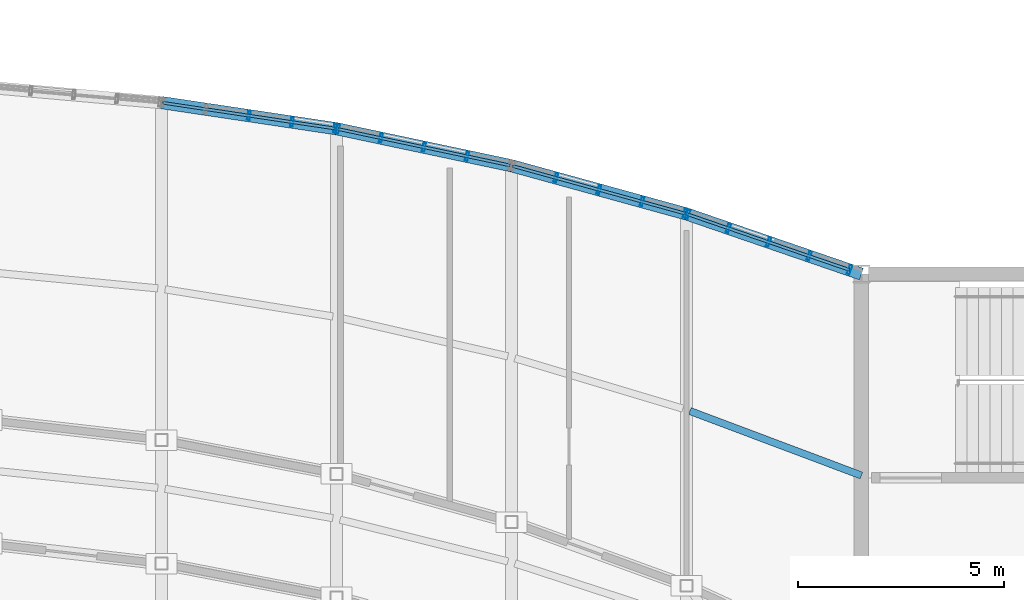
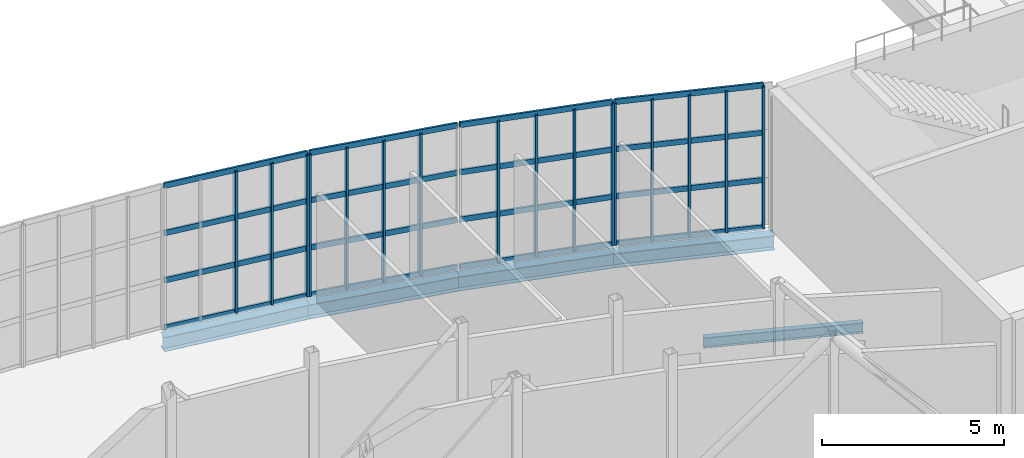
# One storey, part 29 of 66: 32 members, 5 beams, 4 elements without a shape of their own.
"""IFC4 building model written with IfcOpenShell, lengths in metres."""

from ifc_helpers import new_model, si_unit, direction, frame, origin, origin_2d, place, context, subcontext, project, spatial, hollow_rectangle, i_section, extrude, material, material_profile, profile_set, type_object, element, aggregate, save


model = new_model("IFC4")

# Units and contexts
model_context = context("Model", 3, precision=1e-05, world=origin(), true_north=direction((0.0, 1.0)))
body_context = subcontext(model_context, "Body", "Model", "MODEL_VIEW")
ifc_project = project(units=[si_unit("LENGTHUNIT", "METRE"), si_unit("AREAUNIT", "SQUARE_METRE"), si_unit("VOLUMEUNIT", "CUBIC_METRE"), si_unit("PLANEANGLEUNIT", "RADIAN"), si_unit("MASSUNIT", "GRAM", prefix="KILO")], contexts=[model_context])

# Site, building, storey
site_placement = place(None, origin())
site = spatial("IfcSite", under=ifc_project, at=site_placement, CompositionType="ELEMENT")
building_placement = place(site_placement, origin())
building = spatial("IfcBuilding", under=site, at=building_placement, Name="Solvikara Media Centre", CompositionType="ELEMENT")
storey_placement = place(building_placement, frame((0.0, 0.0, 19.800048828125)))
storey = spatial("IfcBuildingStorey", under=building, at=storey_placement, Name="L04", CompositionType="ELEMENT", Elevation=19.800048828125)

# Beams
ifc_material_1 = material(Name="Steel S355JR", Category="steel")
ifc_material_profile_1 = material_profile(ifc_material_1, i_section(OverallWidth=0.175048828125, OverallDepth=0.35009765625, WebThickness=0.007080078125, FlangeThickness=0.010986328125, at=origin_2d()), Name="WF 350x175x7x11")
ifc_profile_set_1 = profile_set([ifc_material_profile_1], Name="Steel S355JR")
beam_type_1 = type_object("IfcBeamType", Name="BM-22", PredefinedType="JOIST", material=ifc_profile_set_1)
beam_1_placement = place(storey_placement, frame((123.333984375, 33.472900390625, -0.39697265625), z_axis=(0.936058378207, -0.351844727955, 0.0), x_axis=(0.351844727955, 0.936058378207, 0.0)))
element("IfcBeam", 1, at=beam_1_placement, inside=storey, type_object=beam_type_1, Name="BJ-L04-11-72", PredefinedType="JOIST", context=body_context, shape_type="SweptSolid", body=[
    extrude(i_section(OverallWidth=0.175048828125, OverallDepth=0.35009765625, WebThickness=0.007080078125, FlangeThickness=0.010986328125, at=origin_2d()), origin(), (0.0, 0.0, 1.0), 4.45068359375),
])
ifc_material_profile_2 = material_profile(ifc_material_1, i_section(OverallWidth=0.300048828125, OverallDepth=0.48193359375, WebThickness=0.010986328125, FlangeThickness=0.014892578125, at=origin_2d()), Name="WF 482x300x11x15")
ifc_profile_set_2 = profile_set([ifc_material_profile_2], Name="Steel S355JR")
beam_type_2 = type_object("IfcBeamType", Name="BM-32", PredefinedType="SPANDREL", material=ifc_profile_set_2)
beam_2_placement = place(storey_placement, frame((110.5, 40.964111328125, -0.463134765625), z_axis=(0.989021203369, -0.147773675894, 0.0), x_axis=(0.147773675894, 0.989021203369, 0.0)))
element("IfcBeam", 2, at=beam_2_placement, inside=storey, type_object=beam_type_2, Name="B-L04-NARC-08", PredefinedType="SPANDREL", context=body_context, shape_type="SweptSolid", body=[
    extrude(i_section(OverallWidth=0.300048828125, OverallDepth=0.48193359375, WebThickness=0.010986328125, FlangeThickness=0.014892578125, at=origin_2d()), origin(), (0.0, 0.0, 1.0), 4.297119140625),
])
beam_3_placement = place(storey_placement, frame((114.75, 40.3291015625, -0.463134765625), z_axis=(0.978389077526, -0.206772369957, 0.0), x_axis=(0.206772369957, 0.978389077526, 0.0)))
element("IfcBeam", 3, at=beam_3_placement, inside=storey, type_object=beam_type_2, Name="B-L04-NARC-09", PredefinedType="SPANDREL", context=body_context, shape_type="SweptSolid", body=[
    extrude(i_section(OverallWidth=0.300048828125, OverallDepth=0.48193359375, WebThickness=0.010986328125, FlangeThickness=0.014892578125, at=origin_2d()), origin(), (0.0, 0.0, 1.0), 4.343994140625),
])
beam_4_placement = place(storey_placement, frame((119.0, 39.430908203125, -0.463134765625), z_axis=(0.964080686077, -0.265609545636, 0.0), x_axis=(0.265609545636, 0.964080686077, 0.0)))
element("IfcBeam", 4, at=beam_4_placement, inside=storey, type_object=beam_type_2, Name="B-L04-NARC-10", PredefinedType="SPANDREL", context=body_context, shape_type="SweptSolid", body=[
    extrude(i_section(OverallWidth=0.300048828125, OverallDepth=0.48193359375, WebThickness=0.010986328125, FlangeThickness=0.014892578125, at=origin_2d()), origin(), (0.0, 0.0, 1.0), 4.408447265625),
])
beam_5_placement = place(storey_placement, frame((123.25, 38.260009765625, -0.463134765625), z_axis=(0.945753386984, -0.324885412119, 0.0), x_axis=(0.324885412119, 0.945753386984, 0.0)))
element("IfcBeam", 5, at=beam_5_placement, inside=storey, type_object=beam_type_2, Name="B-L04-NARC-11", PredefinedType="SPANDREL", context=body_context, shape_type="SweptSolid", body=[
    extrude(i_section(OverallWidth=0.300048828125, OverallDepth=0.48193359375, WebThickness=0.010986328125, FlangeThickness=0.014892578125, at=origin_2d()), origin(), (0.0, 0.0, 1.0), 4.49365234375),
])

# Curtain wall, members
ifc_material_2 = material(Name="Anodised aluminium EN AW-6063", Category="aluminium")
curtain_wall_type = type_object("IfcCurtainWallType", Name="CW-02", PredefinedType="NOTDEFINED", material=ifc_material_2)
curtain_wall_1_placement = place(storey_placement, origin())
curtain_wall_1 = element("IfcCurtainWall", 6, at=curtain_wall_1_placement, inside=storey, type_object=curtain_wall_type, Name="CW-L04-NARC-08", PredefinedType="NOTDEFINED")
ifc_material_profile_3 = material_profile(ifc_material_2, hollow_rectangle(XDim=0.06494140625, YDim=0.219970703125, WallThickness=0.00390625, at=origin_2d()), Name="ALU-M 65x220x4")
ifc_profile_set_3 = profile_set([ifc_material_profile_3], Name="Anodised aluminium EN AW-6063")
member_type_1 = type_object("IfcMemberType", Name="MF-01", PredefinedType="MULLION", material=ifc_profile_set_3)
member_1_placement = place(storey_placement, frame((112.625, 40.64697265625, 0.02001953125), z_axis=(0.0, 0.0, 1.0), x_axis=(0.989005541908, -0.147878457102, 0.0)))
member_1 = element("IfcMember", 7, at=member_1_placement, type_object=member_type_1, Name="CW-L04-NARC-08-M02", PredefinedType="MULLION", context=body_context, shape_type="SweptSolid", body=[
    extrude(hollow_rectangle(XDim=0.06494140625, YDim=0.219970703125, WallThickness=0.00390625, at=origin_2d()), origin(), (0.0, 0.0, 1.0), 4.760009765625),
])
member_2_placement = place(storey_placement, frame((113.669921875, 40.489990234375, 0.02001953125), z_axis=(0.0, 0.0, 1.0), x_axis=(0.989005541908, -0.147878457102, 0.0)))
member_2 = element("IfcMember", 8, at=member_2_placement, type_object=member_type_1, Name="CW-L04-NARC-08-M03", PredefinedType="MULLION", context=body_context, shape_type="SweptSolid", body=[
    extrude(hollow_rectangle(XDim=0.06494140625, YDim=0.219970703125, WallThickness=0.00390625, at=origin_2d()), origin(), (0.0, 0.0, 1.0), 4.760009765625),
])
member_3_placement = place(storey_placement, frame((114.715087890625, 40.333984375, 0.02001953125), z_axis=(0.0, 0.0, 1.0), x_axis=(0.989005541908, -0.147878457102, 0.0)))
member_3 = element("IfcMember", 9, at=member_3_placement, type_object=member_type_1, Name="CW-L04-NARC-08-M04", PredefinedType="MULLION", context=body_context, shape_type="SweptSolid", body=[
    extrude(hollow_rectangle(XDim=0.06494140625, YDim=0.219970703125, WallThickness=0.00390625, at=origin_2d()), origin(), (0.0, 0.0, 1.0), 4.760009765625),
])

curtain_wall_2_placement = place(storey_placement, origin())
curtain_wall_2 = element("IfcCurtainWall", 10, at=curtain_wall_2_placement, inside=storey, type_object=curtain_wall_type, Name="CW-L04-NARC-09", PredefinedType="NOTDEFINED")
member_4_placement = place(storey_placement, frame((114.783935546875, 40.322021484375, 0.02001953125), z_axis=(0.0, 0.0, 1.0), x_axis=(0.97837923005, -0.206818959981, 0.0)))
member_4 = element("IfcMember", 11, at=member_4_placement, type_object=member_type_1, Name="CW-L04-NARC-09-M00", PredefinedType="MULLION", context=body_context, shape_type="SweptSolid", body=[
    extrude(hollow_rectangle(XDim=0.06494140625, YDim=0.219970703125, WallThickness=0.00390625, at=origin_2d()), origin(), (0.0, 0.0, 1.0), 4.760009765625),
])
member_5_placement = place(storey_placement, frame((115.830078125, 40.10107421875, 0.02001953125), z_axis=(0.0, 0.0, 1.0), x_axis=(0.97837923005, -0.206818959981, 0.0)))
member_5 = element("IfcMember", 12, at=member_5_placement, type_object=member_type_1, Name="CW-L04-NARC-09-M01", PredefinedType="MULLION", context=body_context, shape_type="SweptSolid", body=[
    extrude(hollow_rectangle(XDim=0.06494140625, YDim=0.219970703125, WallThickness=0.00390625, at=origin_2d()), origin(), (0.0, 0.0, 1.0), 4.760009765625),
])
member_6_placement = place(storey_placement, frame((116.875, 39.8798828125, 0.02001953125), z_axis=(0.0, 0.0, 1.0), x_axis=(0.97837923005, -0.206818959981, 0.0)))
member_6 = element("IfcMember", 13, at=member_6_placement, type_object=member_type_1, Name="CW-L04-NARC-09-M02", PredefinedType="MULLION", context=body_context, shape_type="SweptSolid", body=[
    extrude(hollow_rectangle(XDim=0.06494140625, YDim=0.219970703125, WallThickness=0.00390625, at=origin_2d()), origin(), (0.0, 0.0, 1.0), 4.760009765625),
])
member_7_placement = place(storey_placement, frame((117.9208984375, 39.658935546875, 0.02001953125), z_axis=(0.0, 0.0, 1.0), x_axis=(0.97837923005, -0.206818959981, 0.0)))
member_7 = element("IfcMember", 14, at=member_7_placement, type_object=member_type_1, Name="CW-L04-NARC-09-M03", PredefinedType="MULLION", context=body_context, shape_type="SweptSolid", body=[
    extrude(hollow_rectangle(XDim=0.06494140625, YDim=0.219970703125, WallThickness=0.00390625, at=origin_2d()), origin(), (0.0, 0.0, 1.0), 4.760009765625),
])

curtain_wall_3_placement = place(storey_placement, origin())
curtain_wall_3 = element("IfcCurtainWall", 15, at=curtain_wall_3_placement, inside=storey, type_object=curtain_wall_type, Name="CW-L04-NARC-10", PredefinedType="NOTDEFINED")
member_8_placement = place(storey_placement, frame((120.080078125, 39.134033203125, 0.02001953125), z_axis=(0.0, 0.0, 1.0), x_axis=(0.964030487854, -0.265791682504, 0.0)))
member_8 = element("IfcMember", 16, at=member_8_placement, type_object=member_type_1, Name="CW-L04-NARC-10-M01", PredefinedType="MULLION", context=body_context, shape_type="SweptSolid", body=[
    extrude(hollow_rectangle(XDim=0.06494140625, YDim=0.219970703125, WallThickness=0.00390625, at=origin_2d()), origin(), (0.0, 0.0, 1.0), 4.760009765625),
])
member_9_placement = place(storey_placement, frame((121.125, 38.845947265625, 0.02001953125), z_axis=(0.0, 0.0, 1.0), x_axis=(0.964030487854, -0.265791682504, 0.0)))
member_9 = element("IfcMember", 17, at=member_9_placement, type_object=member_type_1, Name="CW-L04-NARC-10-M02", PredefinedType="MULLION", context=body_context, shape_type="SweptSolid", body=[
    extrude(hollow_rectangle(XDim=0.06494140625, YDim=0.219970703125, WallThickness=0.00390625, at=origin_2d()), origin(), (0.0, 0.0, 1.0), 4.760009765625),
])
member_10_placement = place(storey_placement, frame((122.1708984375, 38.556884765625, 0.02001953125), z_axis=(0.0, 0.0, 1.0), x_axis=(0.964030487854, -0.265791682504, 0.0)))
member_10 = element("IfcMember", 18, at=member_10_placement, type_object=member_type_1, Name="CW-L04-NARC-10-M03", PredefinedType="MULLION", context=body_context, shape_type="SweptSolid", body=[
    extrude(hollow_rectangle(XDim=0.06494140625, YDim=0.219970703125, WallThickness=0.00390625, at=origin_2d()), origin(), (0.0, 0.0, 1.0), 4.760009765625),
])
member_11_placement = place(storey_placement, frame((123.216064453125, 38.26904296875, 0.02001953125), z_axis=(0.0, 0.0, 1.0), x_axis=(0.964030487854, -0.265791682504, 0.0)))
member_11 = element("IfcMember", 19, at=member_11_placement, type_object=member_type_1, Name="CW-L04-NARC-10-M04", PredefinedType="MULLION", context=body_context, shape_type="SweptSolid", body=[
    extrude(hollow_rectangle(XDim=0.06494140625, YDim=0.219970703125, WallThickness=0.00390625, at=origin_2d()), origin(), (0.0, 0.0, 1.0), 4.760009765625),
])

curtain_wall_4_placement = place(storey_placement, origin())
curtain_wall_4 = element("IfcCurtainWall", 20, at=curtain_wall_4_placement, inside=storey, type_object=curtain_wall_type, Name="CW-L04-NARC-11", PredefinedType="NOTDEFINED")
member_12_placement = place(storey_placement, frame((123.282958984375, 38.2490234375, 0.02001953125), z_axis=(0.0, 0.0, 1.0), x_axis=(0.945705932557, -0.325023520882, 0.0)))
member_12 = element("IfcMember", 21, at=member_12_placement, type_object=member_type_1, Name="CW-L04-NARC-11-M00", PredefinedType="MULLION", context=body_context, shape_type="SweptSolid", body=[
    extrude(hollow_rectangle(XDim=0.06494140625, YDim=0.219970703125, WallThickness=0.00390625, at=origin_2d()), origin(), (0.0, 0.0, 1.0), 4.760009765625),
])
member_13_placement = place(storey_placement, frame((124.26611328125, 37.910888671875, 0.02001953125), z_axis=(0.0, 0.0, 1.0), x_axis=(0.945705932557, -0.325023520882, 0.0)))
member_13 = element("IfcMember", 22, at=member_13_placement, type_object=member_type_1, Name="CW-L04-NARC-11-M01", PredefinedType="MULLION", context=body_context, shape_type="SweptSolid", body=[
    extrude(hollow_rectangle(XDim=0.06494140625, YDim=0.219970703125, WallThickness=0.00390625, at=origin_2d()), origin(), (0.0, 0.0, 1.0), 4.760009765625),
])
member_14_placement = place(storey_placement, frame((125.248046875, 37.573974609375, 0.02001953125), z_axis=(0.0, 0.0, 1.0), x_axis=(0.945705932557, -0.325023520882, 0.0)))
member_14 = element("IfcMember", 23, at=member_14_placement, type_object=member_type_1, Name="CW-L04-NARC-11-M02", PredefinedType="MULLION", context=body_context, shape_type="SweptSolid", body=[
    extrude(hollow_rectangle(XDim=0.06494140625, YDim=0.219970703125, WallThickness=0.00390625, at=origin_2d()), origin(), (0.0, 0.0, 1.0), 4.760009765625),
])
member_15_placement = place(storey_placement, frame((126.23193359375, 37.236083984375, 0.02001953125), z_axis=(0.0, 0.0, 1.0), x_axis=(0.945705932557, -0.325023520882, 0.0)))
member_15 = element("IfcMember", 24, at=member_15_placement, type_object=member_type_1, Name="CW-L04-NARC-11-M03", PredefinedType="MULLION", context=body_context, shape_type="SweptSolid", body=[
    extrude(hollow_rectangle(XDim=0.06494140625, YDim=0.219970703125, WallThickness=0.00390625, at=origin_2d()), origin(), (0.0, 0.0, 1.0), 4.760009765625),
])
member_16_placement = place(storey_placement, frame((127.214111328125, 36.89794921875, 0.02001953125), z_axis=(0.0, 0.0, 1.0), x_axis=(0.945705932557, -0.325023520882, 0.0)))
member_16 = element("IfcMember", 25, at=member_16_placement, type_object=member_type_1, Name="CW-L04-NARC-11-M04", PredefinedType="MULLION", context=body_context, shape_type="SweptSolid", body=[
    extrude(hollow_rectangle(XDim=0.06494140625, YDim=0.219970703125, WallThickness=0.00390625, at=origin_2d()), origin(), (0.0, 0.0, 1.0), 4.760009765625),
])

# Member
ifc_material_profile_4 = material_profile(ifc_material_2, hollow_rectangle(XDim=0.06494140625, YDim=0.179931640625, WallThickness=0.00341796875, at=origin_2d()), Name="ALU-T 65x180x3.5")
ifc_profile_set_4 = profile_set([ifc_material_profile_4], Name="Anodised aluminium EN AW-6063")
member_type_2 = type_object("IfcMemberType", Name="MF-07", PredefinedType="USERDEFINED", material=ifc_profile_set_4)
member_17_placement = place(storey_placement, frame((110.534912109375, 40.958984375, 0.02001953125), z_axis=(0.989006573352, -0.147871558684, 0.0), x_axis=(0.147871558684, 0.989006573352, 0.0)))
member_17 = element("IfcMember", 26, at=member_17_placement, type_object=member_type_2, Name="CW-L04-NARC-08-T00", ObjectType="TRANSOM", PredefinedType="USERDEFINED", context=body_context, shape_type="SweptSolid", body=[
    extrude(hollow_rectangle(XDim=0.06494140625, YDim=0.179931640625, WallThickness=0.00341796875, at=origin_2d()), origin(), (0.0, 0.0, 1.0), 4.2265625),
])

member_18_placement = place(storey_placement, frame((110.534912109375, 40.958984375, 1.60693359375), z_axis=(0.989006573352, -0.147871558684, 0.0), x_axis=(0.147871558684, 0.989006573352, 0.0)))
member_18 = element("IfcMember", 27, at=member_18_placement, type_object=member_type_2, Name="CW-L04-NARC-08-T01", ObjectType="TRANSOM", PredefinedType="USERDEFINED", context=body_context, shape_type="SweptSolid", body=[
    extrude(hollow_rectangle(XDim=0.06494140625, YDim=0.179931640625, WallThickness=0.00341796875, at=origin_2d()), origin(), (0.0, 0.0, 1.0), 4.2265625),
])

member_19_placement = place(storey_placement, frame((110.534912109375, 40.958984375, 3.19287109375), z_axis=(0.989006573352, -0.147871558684, 0.0), x_axis=(0.147871558684, 0.989006573352, 0.0)))
member_19 = element("IfcMember", 28, at=member_19_placement, type_object=member_type_2, Name="CW-L04-NARC-08-T02", ObjectType="TRANSOM", PredefinedType="USERDEFINED", context=body_context, shape_type="SweptSolid", body=[
    extrude(hollow_rectangle(XDim=0.06494140625, YDim=0.179931640625, WallThickness=0.00341796875, at=origin_2d()), origin(), (0.0, 0.0, 1.0), 4.2265625),
])

member_20_placement = place(storey_placement, frame((110.534912109375, 40.958984375, 4.780029296875), z_axis=(0.989006573352, -0.147871558684, 0.0), x_axis=(0.147871558684, 0.989006573352, 0.0)))
member_20 = element("IfcMember", 29, at=member_20_placement, type_object=member_type_2, Name="CW-L04-NARC-08-T03", ObjectType="TRANSOM", PredefinedType="USERDEFINED", context=body_context, shape_type="SweptSolid", body=[
    extrude(hollow_rectangle(XDim=0.06494140625, YDim=0.179931640625, WallThickness=0.00341796875, at=origin_2d()), origin(), (0.0, 0.0, 1.0), 4.2265625),
])

aggregate(curtain_wall_1, [member_1, member_2, member_3, member_17, member_18, member_19, member_20])

member_21_placement = place(storey_placement, frame((114.783935546875, 40.322021484375, 0.02001953125), z_axis=(0.978380382842, -0.206813506496, 0.0), x_axis=(0.206813506496, 0.978380382842, 0.0)))
member_21 = element("IfcMember", 30, at=member_21_placement, type_object=member_type_2, Name="CW-L04-NARC-09-T00", ObjectType="TRANSOM", PredefinedType="USERDEFINED", context=body_context, shape_type="SweptSolid", body=[
    extrude(hollow_rectangle(XDim=0.06494140625, YDim=0.179931640625, WallThickness=0.00341796875, at=origin_2d()), origin(), (0.0, 0.0, 1.0), 4.274658203125),
])

member_22_placement = place(storey_placement, frame((114.783935546875, 40.322021484375, 1.60693359375), z_axis=(0.978380382842, -0.206813506496, 0.0), x_axis=(0.206813506496, 0.978380382842, 0.0)))
member_22 = element("IfcMember", 31, at=member_22_placement, type_object=member_type_2, Name="CW-L04-NARC-09-T01", ObjectType="TRANSOM", PredefinedType="USERDEFINED", context=body_context, shape_type="SweptSolid", body=[
    extrude(hollow_rectangle(XDim=0.06494140625, YDim=0.179931640625, WallThickness=0.00341796875, at=origin_2d()), origin(), (0.0, 0.0, 1.0), 4.274658203125),
])

member_23_placement = place(storey_placement, frame((114.783935546875, 40.322021484375, 3.19287109375), z_axis=(0.978380382842, -0.206813506496, 0.0), x_axis=(0.206813506496, 0.978380382842, 0.0)))
member_23 = element("IfcMember", 32, at=member_23_placement, type_object=member_type_2, Name="CW-L04-NARC-09-T02", ObjectType="TRANSOM", PredefinedType="USERDEFINED", context=body_context, shape_type="SweptSolid", body=[
    extrude(hollow_rectangle(XDim=0.06494140625, YDim=0.179931640625, WallThickness=0.00341796875, at=origin_2d()), origin(), (0.0, 0.0, 1.0), 4.274658203125),
])

member_24_placement = place(storey_placement, frame((114.783935546875, 40.322021484375, 4.780029296875), z_axis=(0.978380382842, -0.206813506496, 0.0), x_axis=(0.206813506496, 0.978380382842, 0.0)))
member_24 = element("IfcMember", 33, at=member_24_placement, type_object=member_type_2, Name="CW-L04-NARC-09-T03", ObjectType="TRANSOM", PredefinedType="USERDEFINED", context=body_context, shape_type="SweptSolid", body=[
    extrude(hollow_rectangle(XDim=0.06494140625, YDim=0.179931640625, WallThickness=0.00341796875, at=origin_2d()), origin(), (0.0, 0.0, 1.0), 4.274658203125),
])

aggregate(curtain_wall_2, [member_4, member_5, member_6, member_7, member_21, member_22, member_23, member_24])

member_25_placement = place(storey_placement, frame((119.033935546875, 39.422119140625, 0.02001953125), z_axis=(0.96402892513, -0.265797350461, 0.0), x_axis=(0.265797350461, 0.96402892513, 0.0)))
member_25 = element("IfcMember", 34, at=member_25_placement, type_object=member_type_2, Name="CW-L04-NARC-10-T00", ObjectType="TRANSOM", PredefinedType="USERDEFINED", context=body_context, shape_type="SweptSolid", body=[
    extrude(hollow_rectangle(XDim=0.06494140625, YDim=0.179931640625, WallThickness=0.00341796875, at=origin_2d()), origin(), (0.0, 0.0, 1.0), 4.338134765625),
])

member_26_placement = place(storey_placement, frame((119.033935546875, 39.422119140625, 1.60693359375), z_axis=(0.96402892513, -0.265797350461, 0.0), x_axis=(0.265797350461, 0.96402892513, 0.0)))
member_26 = element("IfcMember", 35, at=member_26_placement, type_object=member_type_2, Name="CW-L04-NARC-10-T01", ObjectType="TRANSOM", PredefinedType="USERDEFINED", context=body_context, shape_type="SweptSolid", body=[
    extrude(hollow_rectangle(XDim=0.06494140625, YDim=0.179931640625, WallThickness=0.00341796875, at=origin_2d()), origin(), (0.0, 0.0, 1.0), 4.338134765625),
])

member_27_placement = place(storey_placement, frame((119.033935546875, 39.422119140625, 3.19287109375), z_axis=(0.96402892513, -0.265797350461, 0.0), x_axis=(0.265797350461, 0.96402892513, 0.0)))
member_27 = element("IfcMember", 36, at=member_27_placement, type_object=member_type_2, Name="CW-L04-NARC-10-T02", ObjectType="TRANSOM", PredefinedType="USERDEFINED", context=body_context, shape_type="SweptSolid", body=[
    extrude(hollow_rectangle(XDim=0.06494140625, YDim=0.179931640625, WallThickness=0.00341796875, at=origin_2d()), origin(), (0.0, 0.0, 1.0), 4.338134765625),
])

member_28_placement = place(storey_placement, frame((119.033935546875, 39.422119140625, 4.780029296875), z_axis=(0.96402892513, -0.265797350461, 0.0), x_axis=(0.265797350461, 0.96402892513, 0.0)))
member_28 = element("IfcMember", 37, at=member_28_placement, type_object=member_type_2, Name="CW-L04-NARC-10-T03", ObjectType="TRANSOM", PredefinedType="USERDEFINED", context=body_context, shape_type="SweptSolid", body=[
    extrude(hollow_rectangle(XDim=0.06494140625, YDim=0.179931640625, WallThickness=0.00341796875, at=origin_2d()), origin(), (0.0, 0.0, 1.0), 4.338134765625),
])

aggregate(curtain_wall_3, [member_8, member_9, member_10, member_11, member_25, member_26, member_27, member_28])

member_29_placement = place(storey_placement, frame((123.282958984375, 38.2490234375, 0.02001953125), z_axis=(0.945705781798, -0.325023959537, 0.0), x_axis=(0.325023959537, 0.945705781798, 0.0)))
member_29 = element("IfcMember", 38, at=member_29_placement, type_object=member_type_2, Name="CW-L04-NARC-11-T00", ObjectType="TRANSOM", PredefinedType="USERDEFINED", context=body_context, shape_type="SweptSolid", body=[
    extrude(hollow_rectangle(XDim=0.06494140625, YDim=0.179931640625, WallThickness=0.00341796875, at=origin_2d()), origin(), (0.0, 0.0, 1.0), 4.15673828125),
])

member_30_placement = place(storey_placement, frame((123.282958984375, 38.2490234375, 1.60693359375), z_axis=(0.945705781798, -0.325023959537, 0.0), x_axis=(0.325023959537, 0.945705781798, 0.0)))
member_30 = element("IfcMember", 39, at=member_30_placement, type_object=member_type_2, Name="CW-L04-NARC-11-T01", ObjectType="TRANSOM", PredefinedType="USERDEFINED", context=body_context, shape_type="SweptSolid", body=[
    extrude(hollow_rectangle(XDim=0.06494140625, YDim=0.179931640625, WallThickness=0.00341796875, at=origin_2d()), origin(), (0.0, 0.0, 1.0), 4.15673828125),
])

member_31_placement = place(storey_placement, frame((123.282958984375, 38.2490234375, 3.19287109375), z_axis=(0.945705781798, -0.325023959537, 0.0), x_axis=(0.325023959537, 0.945705781798, 0.0)))
member_31 = element("IfcMember", 40, at=member_31_placement, type_object=member_type_2, Name="CW-L04-NARC-11-T02", ObjectType="TRANSOM", PredefinedType="USERDEFINED", context=body_context, shape_type="SweptSolid", body=[
    extrude(hollow_rectangle(XDim=0.06494140625, YDim=0.179931640625, WallThickness=0.00341796875, at=origin_2d()), origin(), (0.0, 0.0, 1.0), 4.15673828125),
])

member_32_placement = place(storey_placement, frame((123.282958984375, 38.2490234375, 4.780029296875), z_axis=(0.945705781798, -0.325023959537, 0.0), x_axis=(0.325023959537, 0.945705781798, 0.0)))
member_32 = element("IfcMember", 41, at=member_32_placement, type_object=member_type_2, Name="CW-L04-NARC-11-T03", ObjectType="TRANSOM", PredefinedType="USERDEFINED", context=body_context, shape_type="SweptSolid", body=[
    extrude(hollow_rectangle(XDim=0.06494140625, YDim=0.179931640625, WallThickness=0.00341796875, at=origin_2d()), origin(), (0.0, 0.0, 1.0), 4.15673828125),
])

aggregate(curtain_wall_4, [member_12, member_13, member_14, member_15, member_16, member_29, member_30, member_31, member_32])

save(model, "model.ifc")
